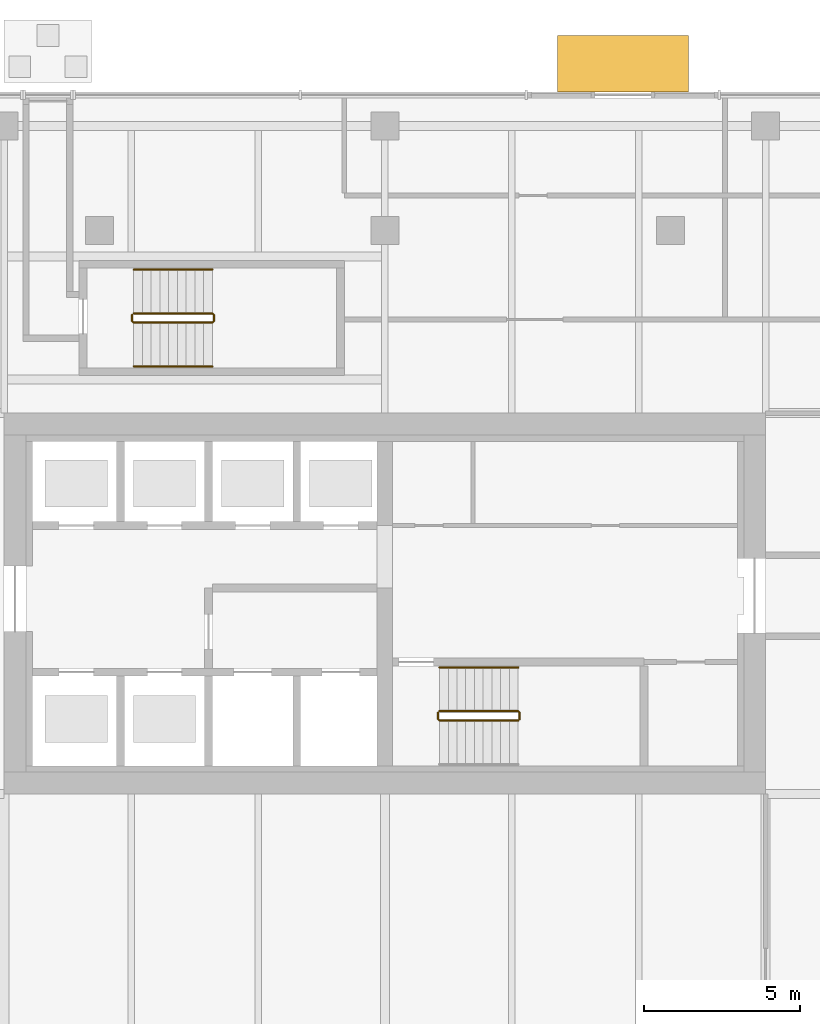
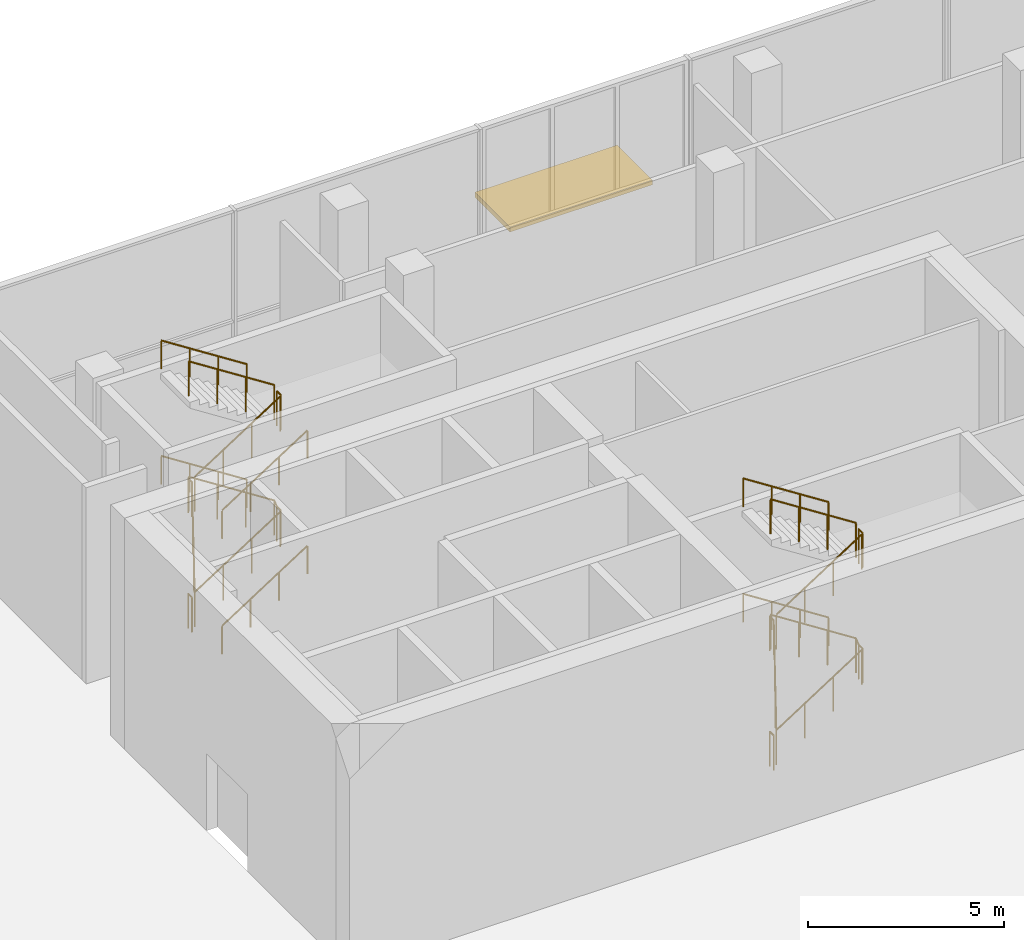
# One storey, part 33 of 36: 16 railings, 1 shading device.
"""IFC4 building model written with IfcOpenShell, lengths in metres."""

import ifcopenshell
import ifcopenshell.guid

model = None  # the IFC model being written
_history = None  # IfcOwnerHistory: only IFC2X3 demands one
_inside = {}  # id of a spatial element -> (the spatial element, [elements in it])
_under = {}  # id of a project, library or spatial element -> (it, [spatial elements below it])
_declared = {}  # id of a project -> (the project, [libraries it declares])
_typed = {}  # id of a type object -> (the type object, [elements of that type])
_made_of = {}  # id of a material, layer set ... -> (it, [elements and type objects made of it])


def new_model(schema):
    """Start an empty IFC model of exactly this schema.

    Asked for "IFC4X3", IfcOpenShell would pick the latest addendum, in which some entities
    have other attributes; the version numbers below select the first issue.
    IFC2X3 requires an IfcOwnerHistory on every rooted entity: one is made here for all.
    """
    global model, _history
    if schema == "IFC4X3":
        model = ifcopenshell.file(schema_version=(4, 3, 0, 0))
    else:
        model = ifcopenshell.file(schema=schema)
    _inside.clear()
    _under.clear()
    _declared.clear()
    _typed.clear()
    _made_of.clear()
    _history = None
    if model.schema == "IFC2X3":
        org = make("IfcOrganization", Name="unknown")
        user = make(
            "IfcPersonAndOrganization",
            ThePerson=make("IfcPerson", FamilyName="unknown"),
            TheOrganization=org,
        )
        app = make(
            "IfcApplication",
            ApplicationDeveloper=org,
            Version="unknown",
            ApplicationFullName="unknown",
            ApplicationIdentifier="unknown",
        )
        _history = make(
            "IfcOwnerHistory",
            OwningUser=user,
            OwningApplication=app,
            ChangeAction="ADDED",
            CreationDate=0,
        )
    return model


def make(cls, **values):
    """One entity of the class cls with the attributes given. An attribute that is None is left unset."""
    return model.create_entity(
        cls, **{name: value for name, value in values.items() if value is not None}
    )


def rooted(cls, **values):
    """An entity with a GlobalId (a new one), such as an element, a storey or a relation."""
    return make(cls, GlobalId=ifcopenshell.guid.new(), OwnerHistory=_history, **values)


def si_unit(unit_type, name, prefix=None):
    """IfcSIUnit, for example si_unit("LENGTHUNIT", "METRE", prefix="MILLI")."""
    return make("IfcSIUnit", UnitType=unit_type, Prefix=prefix, Name=name)


def assignment(units):
    """IfcUnitAssignment: the units of a project."""
    return None if units is None else make("IfcUnitAssignment", Units=units)


def point(xyz):
    """IfcCartesianPoint."""
    return None if xyz is None else make("IfcCartesianPoint", Coordinates=xyz)


def direction(xyz):
    """IfcDirection."""
    return None if xyz is None else make("IfcDirection", DirectionRatios=xyz)


def frame(location, z_axis=None, x_axis=None):
    """IfcAxis2Placement3D, a coordinate frame: its origin and axes. An axis left out is left unset."""
    return make(
        "IfcAxis2Placement3D",
        Location=point(location),
        Axis=direction(z_axis),
        RefDirection=direction(x_axis),
    )


def frame_2d(location, x_axis=None):
    """IfcAxis2Placement2D, a coordinate frame in the plane: its origin and x axis."""
    return make(
        "IfcAxis2Placement2D", Location=point(location), RefDirection=direction(x_axis)
    )


def origin():
    """The frame at (0, 0, 0) with its axes left unset."""
    return frame((0.0, 0.0, 0.0))


def origin_2d():
    """The frame at (0, 0) in the plane with its x axis left unset."""
    return frame_2d((0.0, 0.0))


def place(relative_to, where):
    """IfcLocalPlacement: puts the frame where relative to a parent placement (None: the world)."""
    return make(
        "IfcLocalPlacement", PlacementRelTo=relative_to, RelativePlacement=where
    )


def context(
    kind, dimensions, precision=None, world=None, true_north=None, identifier=None
):
    """IfcGeometricRepresentationContext, for example the 3D "Model" context."""
    return make(
        "IfcGeometricRepresentationContext",
        ContextIdentifier=identifier,
        ContextType=kind,
        CoordinateSpaceDimension=dimensions,
        Precision=precision,
        WorldCoordinateSystem=world,
        TrueNorth=true_north,
    )


def subcontext(parent, identifier, kind, view, scale=None):
    """IfcGeometricRepresentationSubContext, for example "Body" below "Model"."""
    return make(
        "IfcGeometricRepresentationSubContext",
        ContextIdentifier=identifier,
        ContextType=kind,
        ParentContext=parent,
        TargetScale=scale,
        TargetView=view,
    )


def project(units=None, contexts=None):
    """IfcProject with its units and contexts."""
    return rooted(
        "IfcProject",
        Name="project",
        RepresentationContexts=contexts,
        UnitsInContext=assignment(units),
    )


def spatial(cls, under=None, at=None, **own):
    """A site, building, storey or space (cls), placed at a placement, below another one or the project."""
    s = rooted(cls, ObjectPlacement=at, **own)
    if under is not None:
        _under.setdefault(under.id(), (under, []))[1].append(s)
    return s


def profile(cls, at=None, kind="AREA", **sizes):
    """A parametric profile (cls). Its sizes go by their IFC names, for example OverallWidth=200.0."""
    return make(cls, ProfileType=kind, Position=at, **sizes)


def rectangle(**sizes):
    """IfcRectangleProfileDef."""
    return profile("IfcRectangleProfileDef", **sizes)


def circle(**sizes):
    """IfcCircleProfileDef."""
    return profile("IfcCircleProfileDef", **sizes)


def extrude(swept, where, along, depth):
    """IfcExtrudedAreaSolid: the profile swept, set in the frame where, extruded along a direction by depth."""
    return make(
        "IfcExtrudedAreaSolid",
        SweptArea=swept,
        Position=where,
        ExtrudedDirection=direction(along),
        Depth=depth,
    )


def shape(context_of_items, identifier, shape_type, items):
    """IfcShapeRepresentation: the items that make up one representation, for example the "Body"."""
    return make(
        "IfcShapeRepresentation",
        ContextOfItems=context_of_items,
        RepresentationIdentifier=identifier,
        RepresentationType=shape_type,
        Items=items,
    )


def material(Name=None, Category=None):
    """IfcMaterial."""
    return make("IfcMaterial", Name=Name, Category=Category)


def layer(
    of_material, thickness, ventilated=None, Name=None, Category=None, Priority=None
):
    """IfcMaterialLayer: one layer of a wall or slab, of a material (None: an air gap)."""
    return make(
        "IfcMaterialLayer",
        Material=of_material,
        LayerThickness=thickness,
        IsVentilated=ventilated,
        Name=Name,
        Category=Category,
        Priority=Priority,
    )


def layer_set(layers, Name=None):
    """IfcMaterialLayerSet."""
    return make("IfcMaterialLayerSet", MaterialLayers=layers, LayerSetName=Name)


def made_of(thing, what):
    """Note that an element or type object is made of a material, layer set ...; save() writes the relation."""
    if what is not None:
        _made_of.setdefault(what.id(), (what, []))[1].append(thing)
    return thing


def type_object(cls, material=None, **own):
    """A type object (cls), such as IfcWallType, which elements share."""
    return made_of(rooted(cls, **own), material)


def element(
    cls,
    number,
    at=None,
    inside=None,
    cuts=None,
    type_object=None,
    material=None,
    context=None,
    identifier="Body",
    shape_type=None,
    held_by="IfcProductDefinitionShape",
    body=None,
    shapes=None,
    **own,
):
    """One element of the class cls, such as IfcWall. Its Tag is "e" and its number.

    at: its placement. inside: the storey or other place that contains it. cuts: it is an
    opening in that element (IfcRelVoidsElement). A single representation is given by context,
    identifier, shape_type and body (its items); several are given by shapes. held_by: the class
    of the entity that holds the representations. save() writes the other relations.
    """
    e = rooted(cls, Tag="e%d" % number, ObjectPlacement=at, **own)
    if body is not None:
        shapes = [shape(context, identifier, shape_type, body)]
    if shapes is not None:
        e.Representation = make(held_by, Representations=shapes)
    if inside is not None:
        _inside.setdefault(inside.id(), (inside, []))[1].append(e)
    if cuts is not None:
        rooted(
            "IfcRelVoidsElement", RelatingBuildingElement=cuts, RelatedOpeningElement=e
        )
    if type_object is not None:
        _typed.setdefault(type_object.id(), (type_object, []))[1].append(e)
    return made_of(e, material)


def aggregate(whole, parts):
    """IfcRelAggregates: a whole, such as a stair, and the parts it consists of."""
    return rooted("IfcRelAggregates", RelatingObject=whole, RelatedObjects=parts)


def save(model, path):
    """Write the relations noted so far, then the file.

    IfcRelAggregates (storeys below a building ...), IfcRelContainedInSpatialStructure (elements
    in a storey), IfcRelDefinesByType, IfcRelAssociatesMaterial and IfcRelDeclares: one each for
    every whole, place, type object, material and project.
    """
    for whole, parts in _under.values():
        aggregate(whole, parts)
    for where, things in _inside.values():
        rooted(
            "IfcRelContainedInSpatialStructure",
            RelatedElements=things,
            RelatingStructure=where,
        )
    for kind, things in _typed.values():
        rooted("IfcRelDefinesByType", RelatedObjects=things, RelatingType=kind)
    for what, things in _made_of.values():
        rooted("IfcRelAssociatesMaterial", RelatedObjects=things, RelatingMaterial=what)
    for by, libraries in _declared.values():
        rooted("IfcRelDeclares", RelatingContext=by, RelatedDefinitions=libraries)
    model.write(path)


model = new_model("IFC4")

# Units and contexts
model_context = context("Model", 3, precision=1e-05, world=origin(), true_north=direction((0.0, 1.0)))
body_context = subcontext(model_context, "Body", "Model", "MODEL_VIEW")
ifc_project = project(units=[si_unit("LENGTHUNIT", "METRE"), si_unit("AREAUNIT", "SQUARE_METRE"), si_unit("VOLUMEUNIT", "CUBIC_METRE"), si_unit("PLANEANGLEUNIT", "RADIAN"), si_unit("MASSUNIT", "GRAM", prefix="KILO")], contexts=[model_context])

# Site, building, storey
site_placement = place(None, origin())
site = spatial("IfcSite", under=ifc_project, at=site_placement, CompositionType="ELEMENT")
building_placement = place(site_placement, origin())
building = spatial("IfcBuilding", under=site, at=building_placement, Name="Tessera Gate Towers", CompositionType="ELEMENT")
storey_placement = place(building_placement, origin())
storey = spatial("IfcBuildingStorey", under=building, at=storey_placement, Name="L00", CompositionType="ELEMENT", Elevation=0.0)

# Shading device
ifc_material_1 = material(Name="Powder-coated steel and laminated glass", Category="steel")
ifc_layer = layer(ifc_material_1, 0.14990234375)
ifc_layer_set = layer_set([ifc_layer], Name="AW1 entrance canopy")
shading_device_type = type_object("IfcShadingDeviceType", Name="AW1 entrance canopy", PredefinedType="AWNING", material=ifc_layer_set)
shading_device_placement = place(storey_placement, frame((117.425048828125, 60.0, 3.25), z_axis=(0.0, 0.0, 1.0), x_axis=(-1.0, 0.0, 0.0)))
element("IfcShadingDevice", 1, at=shading_device_placement, inside=storey, type_object=shading_device_type, Name="Entrance canopy PD AW1-0003", PredefinedType="AWNING", context=body_context, shape_type="SweptSolid", body=[
    extrude(rectangle(XDim=4.199951171875, YDim=1.800048828125, at=origin_2d()), origin(), (0.0, 0.0, 1.0), 0.14990234375),
])

# Railings
ifc_material_2 = material(Name="Steel 350W", Category="steel")
railing_type_1 = type_object("IfcRailingType", Name="STAIR GUARD 1100", PredefinedType="GUARDRAIL", material=ifc_material_2)
railing_1_placement = place(storey_placement, frame((111.5, 39.199951171875, 3.60009765625)))
element("IfcRailing", 2, at=railing_1_placement, inside=storey, type_object=railing_type_1, Name="L00 ST6 stair guard 1", PredefinedType="GUARDRAIL", context=body_context, shape_type="SweptSolid", body=[
    extrude(circle(Radius=0.02392578125, at=origin_2d()), frame((0.0, 0.0, 1.076171875), z_axis=(0.0, -1.0, 0.0), x_axis=(1.0, 0.0, 0.0)), (0.0, 0.0, 1.0), 0.199951171875),
    extrude(circle(Radius=0.02392578125, at=origin_2d()), frame((0.0, -0.199951171875, 1.076171875), z_axis=(0.014630317356, -0.014630317356, -0.999785930901), x_axis=(0.707106781187, 0.707106781187, 0.0)), (0.0, 0.0, 1.0), 3.4208984375),
    extrude(circle(Radius=0.02392578125, at=origin_2d()), frame((0.050048828125, -0.25, -2.34423828125), z_axis=(0.841162588446, 0.0, 0.540782303519), x_axis=(0.0, 1.0, 0.0)), (0.0, 0.0, 1.0), 2.995849609375),
    extrude(circle(Radius=0.02392578125, at=origin_2d()), frame((2.570068359375, -0.25, -0.72412109375), z_axis=(0.707106781187, 0.707106781187, 0.0), x_axis=(-0.707106781187, 0.707106781187, 0.0)), (0.0, 0.0, 1.0), 0.07080078125),
    extrude(circle(Radius=0.02392578125, at=origin_2d()), frame((2.6201171875, -0.199951171875, -0.72412109375), z_axis=(0.0, 1.0, 0.0), x_axis=(-1.0, 0.0, 0.0)), (0.0, 0.0, 1.0), 0.199951171875),
    extrude(circle(Radius=0.02392578125, at=origin_2d()), frame((2.6201171875, 0.0, -0.72412109375), z_axis=(-0.258847668887, 0.258847668887, 0.930588936439), x_axis=(-0.707106781187, -0.707106781187, 0.0)), (0.0, 0.0, 1.0), 0.193359375),
    extrude(circle(Radius=0.02392578125, at=origin_2d()), frame((2.570068359375, 0.050048828125, -0.5439453125), z_axis=(-0.841162588446, 0.0, 0.540782303519), x_axis=(0.0, -1.0, 0.0)), (0.0, 0.0, 1.0), 2.995849609375),
    extrude(circle(Radius=0.02099609375, at=origin_2d()), origin(), (0.0, 0.0, 1.0), 1.052001953125),
    extrude(circle(Radius=0.02099609375, at=origin_2d()), frame((0.0, -0.199951171875, 0.0)), (0.0, 0.0, 1.0), 1.052001953125),
    extrude(circle(Radius=0.02099609375, at=origin_2d()), frame((0.0166015625, -0.216552734375, -1.14013671875)), (0.0, 0.0, 1.0), 1.052001953125),
    extrude(circle(Radius=0.02099609375, at=origin_2d()), frame((0.033447265625, -0.2333984375, -2.280029296875)), (0.0, 0.0, 1.0), 1.052001953125),
    extrude(circle(Radius=0.02099609375, at=origin_2d()), frame((0.050048828125, -0.25, -3.420166015625)), (0.0, 0.0, 1.0), 1.052001953125),
    extrude(circle(Radius=0.02099609375, at=origin_2d()), frame((0.89013671875, -0.25, -2.880126953125)), (0.0, 0.0, 1.0), 1.052001953125),
    extrude(circle(Radius=0.02099609375, at=origin_2d()), frame((1.72998046875, -0.25, -2.340087890625)), (0.0, 0.0, 1.0), 1.052001953125),
    extrude(circle(Radius=0.02099609375, at=origin_2d()), frame((2.570068359375, -0.25, -1.800048828125)), (0.0, 0.0, 1.0), 1.052001953125),
    extrude(circle(Radius=0.02099609375, at=origin_2d()), frame((2.6201171875, -0.199951171875, -1.800048828125)), (0.0, 0.0, 1.0), 1.052001953125),
    extrude(circle(Radius=0.02099609375, at=origin_2d()), frame((2.6201171875, 0.0, -1.800048828125)), (0.0, 0.0, 1.0), 1.052001953125),
    extrude(circle(Radius=0.02099609375, at=origin_2d()), frame((2.570068359375, 0.050048828125, -1.6201171875)), (0.0, 0.0, 1.0), 1.052001953125),
    extrude(circle(Radius=0.02099609375, at=origin_2d()), frame((1.72998046875, 0.050048828125, -1.080078125)), (0.0, 0.0, 1.0), 1.052001953125),
    extrude(circle(Radius=0.02099609375, at=origin_2d()), frame((0.89013671875, 0.050048828125, -0.5400390625)), (0.0, 0.0, 1.0), 1.052001953125),
    extrude(circle(Radius=0.02099609375, at=origin_2d()), frame((0.050048828125, 0.050048828125, 0.0)), (0.0, 0.0, 1.0), 1.052001953125),
])
railing_2_placement = place(storey_placement, frame((111.550048828125, 38.949951171875, 3.780029296875)))
element("IfcRailing", 3, at=railing_2_placement, inside=storey, type_object=railing_type_1, Name="L00 ST6 stair guard 5", PredefinedType="GUARDRAIL", context=body_context, shape_type="SweptSolid", body=[
    extrude(circle(Radius=0.02392578125, at=origin_2d()), frame((0.0, 0.0, 1.076171875), z_axis=(0.841199657755, 0.0, 0.540724639528), x_axis=(0.0, 1.0, 0.0)), (0.0, 0.0, 1.0), 2.995849609375),
    extrude(circle(Radius=0.02099609375, at=origin_2d()), origin(), (0.0, 0.0, 1.0), 1.052001953125),
    extrude(circle(Radius=0.02099609375, at=origin_2d()), frame((0.840087890625, 0.0, 0.5400390625)), (0.0, 0.0, 1.0), 1.052001953125),
    extrude(circle(Radius=0.02099609375, at=origin_2d()), frame((1.679931640625, 0.0, 1.079833984375)), (0.0, 0.0, 1.0), 1.052001953125),
    extrude(circle(Radius=0.02099609375, at=origin_2d()), frame((2.52001953125, 0.0, 1.619873046875)), (0.0, 0.0, 1.0), 1.052001953125),
])
railing_3_placement = place(storey_placement, frame((114.1201171875, 39.0, 5.39990234375)))
element("IfcRailing", 4, at=railing_3_placement, inside=storey, type_object=railing_type_1, Name="L00 ST6 stair guard 6", PredefinedType="GUARDRAIL", context=body_context, shape_type="SweptSolid", body=[
    extrude(circle(Radius=0.02392578125, at=origin_2d()), frame((0.0, 0.0, 1.076171875), z_axis=(0.0, 1.0, 0.0), x_axis=(-1.0, 0.0, 0.0)), (0.0, 0.0, 1.0), 0.199951171875),
    extrude(circle(Radius=0.02099609375, at=origin_2d()), origin(), (0.0, 0.0, 1.0), 1.052001953125),
    extrude(circle(Radius=0.02099609375, at=origin_2d()), frame((0.0, 0.199951171875, 0.0)), (0.0, 0.0, 1.0), 1.052001953125),
])
railing_4_placement = place(storey_placement, frame((114.070068359375, 39.25, 5.580078125)))
element("IfcRailing", 5, at=railing_4_placement, inside=storey, type_object=railing_type_1, Name="L00 ST6 stair guard 7", PredefinedType="GUARDRAIL", context=body_context, shape_type="SweptSolid", body=[
    extrude(circle(Radius=0.02392578125, at=origin_2d()), frame((0.0, 0.0, 1.076171875), z_axis=(-0.841199657755, 0.0, 0.540724639528), x_axis=(0.0, -1.0, 0.0)), (0.0, 0.0, 1.0), 2.995849609375),
    extrude(circle(Radius=0.02099609375, at=origin_2d()), origin(), (0.0, 0.0, 1.0), 1.052001953125),
    extrude(circle(Radius=0.02099609375, at=origin_2d()), frame((-0.840087890625, 0.0, 0.5400390625)), (0.0, 0.0, 1.0), 1.052001953125),
    extrude(circle(Radius=0.02099609375, at=origin_2d()), frame((-1.679931640625, 0.0, 1.079833984375)), (0.0, 0.0, 1.0), 1.052001953125),
    extrude(circle(Radius=0.02099609375, at=origin_2d()), frame((-2.52001953125, 0.0, 1.619873046875)), (0.0, 0.0, 1.0), 1.052001953125),
])
railing_5_placement = place(storey_placement, frame((111.5, 39.0, 0.0)))
element("IfcRailing", 6, at=railing_5_placement, inside=storey, type_object=railing_type_1, Name="L00 ST6 stair guard 8", PredefinedType="GUARDRAIL", context=body_context, shape_type="SweptSolid", body=[
    extrude(circle(Radius=0.02392578125, at=origin_2d()), frame((0.0, 0.0, 1.076171875), z_axis=(0.0, 1.0, 0.0), x_axis=(-1.0, 0.0, 0.0)), (0.0, 0.0, 1.0), 0.199951171875),
    extrude(circle(Radius=0.02099609375, at=origin_2d()), origin(), (0.0, 0.0, 1.0), 1.052001953125),
    extrude(circle(Radius=0.02099609375, at=origin_2d()), frame((0.0, 0.199951171875, 0.0)), (0.0, 0.0, 1.0), 1.052001953125),
])
railing_6_placement = place(storey_placement, frame((101.699951171875, 51.949951171875, 3.60009765625)))
element("IfcRailing", 7, at=railing_6_placement, inside=storey, type_object=railing_type_1, Name="L00 ST7 stair guard 1", PredefinedType="GUARDRAIL", context=body_context, shape_type="SweptSolid", body=[
    extrude(circle(Radius=0.02392578125, at=origin_2d()), frame((0.0, 0.0, 1.076171875), z_axis=(0.0, -1.0, 0.0), x_axis=(1.0, 0.0, 0.0)), (0.0, 0.0, 1.0), 0.199951171875),
    extrude(circle(Radius=0.02392578125, at=origin_2d()), frame((0.0, -0.199951171875, 1.076171875), z_axis=(0.014630317356, -0.014630317356, -0.999785930901), x_axis=(0.707106781187, 0.707106781187, 0.0)), (0.0, 0.0, 1.0), 3.4208984375),
    extrude(circle(Radius=0.02392578125, at=origin_2d()), frame((0.050048828125, -0.25, -2.34423828125), z_axis=(0.841162588446, 0.0, 0.540782303519), x_axis=(0.0, 1.0, 0.0)), (0.0, 0.0, 1.0), 2.995849609375),
    extrude(circle(Radius=0.02392578125, at=origin_2d()), frame((2.570068359375, -0.25, -0.72412109375), z_axis=(0.707106781187, 0.707106781187, 0.0), x_axis=(-0.707106781187, 0.707106781187, 0.0)), (0.0, 0.0, 1.0), 0.07080078125),
    extrude(circle(Radius=0.02392578125, at=origin_2d()), frame((2.6201171875, -0.199951171875, -0.72412109375), z_axis=(0.0, 1.0, 0.0), x_axis=(-1.0, 0.0, 0.0)), (0.0, 0.0, 1.0), 0.199951171875),
    extrude(circle(Radius=0.02392578125, at=origin_2d()), frame((2.6201171875, 0.0, -0.72412109375), z_axis=(-0.258847668887, 0.258847668887, 0.930588936439), x_axis=(-0.707106781187, -0.707106781187, 0.0)), (0.0, 0.0, 1.0), 0.193359375),
    extrude(circle(Radius=0.02392578125, at=origin_2d()), frame((2.570068359375, 0.050048828125, -0.5439453125), z_axis=(-0.841162588446, 0.0, 0.540782303519), x_axis=(0.0, -1.0, 0.0)), (0.0, 0.0, 1.0), 2.995849609375),
    extrude(circle(Radius=0.02099609375, at=origin_2d()), origin(), (0.0, 0.0, 1.0), 1.052001953125),
    extrude(circle(Radius=0.02099609375, at=origin_2d()), frame((0.0, -0.199951171875, 0.0)), (0.0, 0.0, 1.0), 1.052001953125),
    extrude(circle(Radius=0.02099609375, at=origin_2d()), frame((0.0166015625, -0.216552734375, -1.14013671875)), (0.0, 0.0, 1.0), 1.052001953125),
    extrude(circle(Radius=0.02099609375, at=origin_2d()), frame((0.033447265625, -0.2333984375, -2.280029296875)), (0.0, 0.0, 1.0), 1.052001953125),
    extrude(circle(Radius=0.02099609375, at=origin_2d()), frame((0.050048828125, -0.25, -3.420166015625)), (0.0, 0.0, 1.0), 1.052001953125),
    extrude(circle(Radius=0.02099609375, at=origin_2d()), frame((0.89013671875, -0.25, -2.880126953125)), (0.0, 0.0, 1.0), 1.052001953125),
    extrude(circle(Radius=0.02099609375, at=origin_2d()), frame((1.72998046875, -0.25, -2.340087890625)), (0.0, 0.0, 1.0), 1.052001953125),
    extrude(circle(Radius=0.02099609375, at=origin_2d()), frame((2.570068359375, -0.25, -1.800048828125)), (0.0, 0.0, 1.0), 1.052001953125),
    extrude(circle(Radius=0.02099609375, at=origin_2d()), frame((2.6201171875, -0.199951171875, -1.800048828125)), (0.0, 0.0, 1.0), 1.052001953125),
    extrude(circle(Radius=0.02099609375, at=origin_2d()), frame((2.6201171875, 0.0, -1.800048828125)), (0.0, 0.0, 1.0), 1.052001953125),
    extrude(circle(Radius=0.02099609375, at=origin_2d()), frame((2.570068359375, 0.050048828125, -1.6201171875)), (0.0, 0.0, 1.0), 1.052001953125),
    extrude(circle(Radius=0.02099609375, at=origin_2d()), frame((1.72998046875, 0.050048828125, -1.080078125)), (0.0, 0.0, 1.0), 1.052001953125),
    extrude(circle(Radius=0.02099609375, at=origin_2d()), frame((0.89013671875, 0.050048828125, -0.5400390625)), (0.0, 0.0, 1.0), 1.052001953125),
    extrude(circle(Radius=0.02099609375, at=origin_2d()), frame((0.050048828125, 0.050048828125, 0.0)), (0.0, 0.0, 1.0), 1.052001953125),
])
railing_7_placement = place(storey_placement, frame((101.75, 51.699951171875, 3.780029296875)))
element("IfcRailing", 8, at=railing_7_placement, inside=storey, type_object=railing_type_1, Name="L00 ST7 stair guard 5", PredefinedType="GUARDRAIL", context=body_context, shape_type="SweptSolid", body=[
    extrude(circle(Radius=0.02392578125, at=origin_2d()), frame((0.0, 0.0, 1.076171875), z_axis=(0.841199657755, 0.0, 0.540724639528), x_axis=(0.0, 1.0, 0.0)), (0.0, 0.0, 1.0), 2.995849609375),
    extrude(circle(Radius=0.02099609375, at=origin_2d()), origin(), (0.0, 0.0, 1.0), 1.052001953125),
    extrude(circle(Radius=0.02099609375, at=origin_2d()), frame((0.840087890625, 0.0, 0.5400390625)), (0.0, 0.0, 1.0), 1.052001953125),
    extrude(circle(Radius=0.02099609375, at=origin_2d()), frame((1.679931640625, 0.0, 1.079833984375)), (0.0, 0.0, 1.0), 1.052001953125),
    extrude(circle(Radius=0.02099609375, at=origin_2d()), frame((2.52001953125, 0.0, 1.619873046875)), (0.0, 0.0, 1.0), 1.052001953125),
])
railing_8_placement = place(storey_placement, frame((104.320068359375, 51.75, 5.39990234375)))
element("IfcRailing", 9, at=railing_8_placement, inside=storey, type_object=railing_type_1, Name="L00 ST7 stair guard 6", PredefinedType="GUARDRAIL", context=body_context, shape_type="SweptSolid", body=[
    extrude(circle(Radius=0.02392578125, at=origin_2d()), frame((0.0, 0.0, 1.076171875), z_axis=(0.0, 1.0, 0.0), x_axis=(-1.0, 0.0, 0.0)), (0.0, 0.0, 1.0), 0.199951171875),
    extrude(circle(Radius=0.02099609375, at=origin_2d()), origin(), (0.0, 0.0, 1.0), 1.052001953125),
    extrude(circle(Radius=0.02099609375, at=origin_2d()), frame((0.0, 0.199951171875, 0.0)), (0.0, 0.0, 1.0), 1.052001953125),
])
railing_9_placement = place(storey_placement, frame((104.27001953125, 52.0, 5.580078125)))
element("IfcRailing", 10, at=railing_9_placement, inside=storey, type_object=railing_type_1, Name="L00 ST7 stair guard 7", PredefinedType="GUARDRAIL", context=body_context, shape_type="SweptSolid", body=[
    extrude(circle(Radius=0.02392578125, at=origin_2d()), frame((0.0, 0.0, 1.076171875), z_axis=(-0.841199657755, 0.0, 0.540724639528), x_axis=(0.0, -1.0, 0.0)), (0.0, 0.0, 1.0), 2.995849609375),
    extrude(circle(Radius=0.02099609375, at=origin_2d()), origin(), (0.0, 0.0, 1.0), 1.052001953125),
    extrude(circle(Radius=0.02099609375, at=origin_2d()), frame((-0.840087890625, 0.0, 0.5400390625)), (0.0, 0.0, 1.0), 1.052001953125),
    extrude(circle(Radius=0.02099609375, at=origin_2d()), frame((-1.679931640625, 0.0, 1.079833984375)), (0.0, 0.0, 1.0), 1.052001953125),
    extrude(circle(Radius=0.02099609375, at=origin_2d()), frame((-2.52001953125, 0.0, 1.619873046875)), (0.0, 0.0, 1.0), 1.052001953125),
])
railing_10_placement = place(storey_placement, frame((101.699951171875, 51.75, 0.0)))
element("IfcRailing", 11, at=railing_10_placement, inside=storey, type_object=railing_type_1, Name="L00 ST7 stair guard 8", PredefinedType="GUARDRAIL", context=body_context, shape_type="SweptSolid", body=[
    extrude(circle(Radius=0.02392578125, at=origin_2d()), frame((0.0, 0.0, 1.076171875), z_axis=(0.0, 1.0, 0.0), x_axis=(-1.0, 0.0, 0.0)), (0.0, 0.0, 1.0), 0.199951171875),
    extrude(circle(Radius=0.02099609375, at=origin_2d()), origin(), (0.0, 0.0, 1.0), 1.052001953125),
    extrude(circle(Radius=0.02099609375, at=origin_2d()), frame((0.0, 0.199951171875, 0.0)), (0.0, 0.0, 1.0), 1.052001953125),
])
ifc_material_3 = material(Name="Steel 350W", Category="steel")
railing_type_2 = type_object("IfcRailingType", Name="STAIR HANDRAIL 900", PredefinedType="HANDRAIL", material=ifc_material_3)
railing_11_placement = place(storey_placement, frame((114.070068359375, 40.64990234375, 1.97998046875)))
element("IfcRailing", 12, at=railing_11_placement, inside=storey, type_object=railing_type_2, Name="L00 ST6 stair handrail 2", PredefinedType="HANDRAIL", context=body_context, shape_type="SweptSolid", body=[
    extrude(circle(Radius=0.02392578125, at=origin_2d()), frame((0.0, 0.0, 0.8759765625), z_axis=(-0.841162588446, 0.0, 0.540782303519), x_axis=(0.0, -1.0, 0.0)), (0.0, 0.0, 1.0), 2.995849609375),
    extrude(circle(Radius=0.02099609375, at=origin_2d()), origin(), (0.0, 0.0, 1.0), 0.851806640625),
    extrude(circle(Radius=0.02099609375, at=origin_2d()), frame((-0.840087890625, 0.0, 0.5400390625)), (0.0, 0.0, 1.0), 0.851806640625),
    extrude(circle(Radius=0.02099609375, at=origin_2d()), frame((-1.679931640625, 0.0, 1.080078125)), (0.0, 0.0, 1.0), 0.851806640625),
    extrude(circle(Radius=0.02099609375, at=origin_2d()), frame((-2.52001953125, 0.0, 1.6201171875)), (0.0, 0.0, 1.0), 0.851806640625),
])
railing_12_placement = place(storey_placement, frame((114.070068359375, 40.64990234375, 5.580078125)))
element("IfcRailing", 13, at=railing_12_placement, inside=storey, type_object=railing_type_2, Name="L00 ST6 stair handrail 4", PredefinedType="HANDRAIL", context=body_context, shape_type="SweptSolid", body=[
    extrude(circle(Radius=0.02392578125, at=origin_2d()), frame((0.0, 0.0, 0.8759765625), z_axis=(-0.841199657755, 0.0, 0.540724639528), x_axis=(0.0, -1.0, 0.0)), (0.0, 0.0, 1.0), 2.995849609375),
    extrude(circle(Radius=0.02099609375, at=origin_2d()), origin(), (0.0, 0.0, 1.0), 0.851806640625),
    extrude(circle(Radius=0.02099609375, at=origin_2d()), frame((-0.840087890625, 0.0, 0.5400390625)), (0.0, 0.0, 1.0), 0.851806640625),
    extrude(circle(Radius=0.02099609375, at=origin_2d()), frame((-1.679931640625, 0.0, 1.079833984375)), (0.0, 0.0, 1.0), 0.851806640625),
    extrude(circle(Radius=0.02099609375, at=origin_2d()), frame((-2.52001953125, 0.0, 1.619873046875)), (0.0, 0.0, 1.0), 0.851806640625),
])
railing_13_placement = place(storey_placement, frame((101.75, 50.300048828125, 0.179931640625)))
element("IfcRailing", 14, at=railing_13_placement, inside=storey, type_object=railing_type_2, Name="L00 ST7 stair handrail 1", PredefinedType="HANDRAIL", context=body_context, shape_type="SweptSolid", body=[
    extrude(circle(Radius=0.02392578125, at=origin_2d()), frame((0.0, 0.0, 0.8759765625), z_axis=(0.841162588446, 0.0, 0.540782303519), x_axis=(0.0, 1.0, 0.0)), (0.0, 0.0, 1.0), 2.995849609375),
    extrude(circle(Radius=0.02099609375, at=origin_2d()), origin(), (0.0, 0.0, 1.0), 0.851806640625),
    extrude(circle(Radius=0.02099609375, at=origin_2d()), frame((0.840087890625, 0.0, 0.5400390625)), (0.0, 0.0, 1.0), 0.851806640625),
    extrude(circle(Radius=0.02099609375, at=origin_2d()), frame((1.679931640625, 0.0, 1.080078125)), (0.0, 0.0, 1.0), 0.851806640625),
    extrude(circle(Radius=0.02099609375, at=origin_2d()), frame((2.52001953125, 0.0, 1.6201171875)), (0.0, 0.0, 1.0), 0.851806640625),
])
railing_14_placement = place(storey_placement, frame((104.27001953125, 53.39990234375, 1.97998046875)))
element("IfcRailing", 15, at=railing_14_placement, inside=storey, type_object=railing_type_2, Name="L00 ST7 stair handrail 2", PredefinedType="HANDRAIL", context=body_context, shape_type="SweptSolid", body=[
    extrude(circle(Radius=0.02392578125, at=origin_2d()), frame((0.0, 0.0, 0.8759765625), z_axis=(-0.841162588446, 0.0, 0.540782303519), x_axis=(0.0, -1.0, 0.0)), (0.0, 0.0, 1.0), 2.995849609375),
    extrude(circle(Radius=0.02099609375, at=origin_2d()), origin(), (0.0, 0.0, 1.0), 0.851806640625),
    extrude(circle(Radius=0.02099609375, at=origin_2d()), frame((-0.840087890625, 0.0, 0.5400390625)), (0.0, 0.0, 1.0), 0.851806640625),
    extrude(circle(Radius=0.02099609375, at=origin_2d()), frame((-1.679931640625, 0.0, 1.080078125)), (0.0, 0.0, 1.0), 0.851806640625),
    extrude(circle(Radius=0.02099609375, at=origin_2d()), frame((-2.52001953125, 0.0, 1.6201171875)), (0.0, 0.0, 1.0), 0.851806640625),
])
railing_15_placement = place(storey_placement, frame((101.75, 50.300048828125, 3.780029296875)))
element("IfcRailing", 16, at=railing_15_placement, inside=storey, type_object=railing_type_2, Name="L00 ST7 stair handrail 3", PredefinedType="HANDRAIL", context=body_context, shape_type="SweptSolid", body=[
    extrude(circle(Radius=0.02392578125, at=origin_2d()), frame((0.0, 0.0, 0.8759765625), z_axis=(0.841199657755, 0.0, 0.540724639528), x_axis=(0.0, 1.0, 0.0)), (0.0, 0.0, 1.0), 2.995849609375),
    extrude(circle(Radius=0.02099609375, at=origin_2d()), origin(), (0.0, 0.0, 1.0), 0.851806640625),
    extrude(circle(Radius=0.02099609375, at=origin_2d()), frame((0.840087890625, 0.0, 0.5400390625)), (0.0, 0.0, 1.0), 0.851806640625),
    extrude(circle(Radius=0.02099609375, at=origin_2d()), frame((1.679931640625, 0.0, 1.079833984375)), (0.0, 0.0, 1.0), 0.851806640625),
    extrude(circle(Radius=0.02099609375, at=origin_2d()), frame((2.52001953125, 0.0, 1.619873046875)), (0.0, 0.0, 1.0), 0.851806640625),
])
railing_16_placement = place(storey_placement, frame((104.27001953125, 53.39990234375, 5.580078125)))
element("IfcRailing", 17, at=railing_16_placement, inside=storey, type_object=railing_type_2, Name="L00 ST7 stair handrail 4", PredefinedType="HANDRAIL", context=body_context, shape_type="SweptSolid", body=[
    extrude(circle(Radius=0.02392578125, at=origin_2d()), frame((0.0, 0.0, 0.8759765625), z_axis=(-0.841199657755, 0.0, 0.540724639528), x_axis=(0.0, -1.0, 0.0)), (0.0, 0.0, 1.0), 2.995849609375),
    extrude(circle(Radius=0.02099609375, at=origin_2d()), origin(), (0.0, 0.0, 1.0), 0.851806640625),
    extrude(circle(Radius=0.02099609375, at=origin_2d()), frame((-0.840087890625, 0.0, 0.5400390625)), (0.0, 0.0, 1.0), 0.851806640625),
    extrude(circle(Radius=0.02099609375, at=origin_2d()), frame((-1.679931640625, 0.0, 1.079833984375)), (0.0, 0.0, 1.0), 0.851806640625),
    extrude(circle(Radius=0.02099609375, at=origin_2d()), frame((-2.52001953125, 0.0, 1.619873046875)), (0.0, 0.0, 1.0), 0.851806640625),
])

save(model, "model.ifc")
